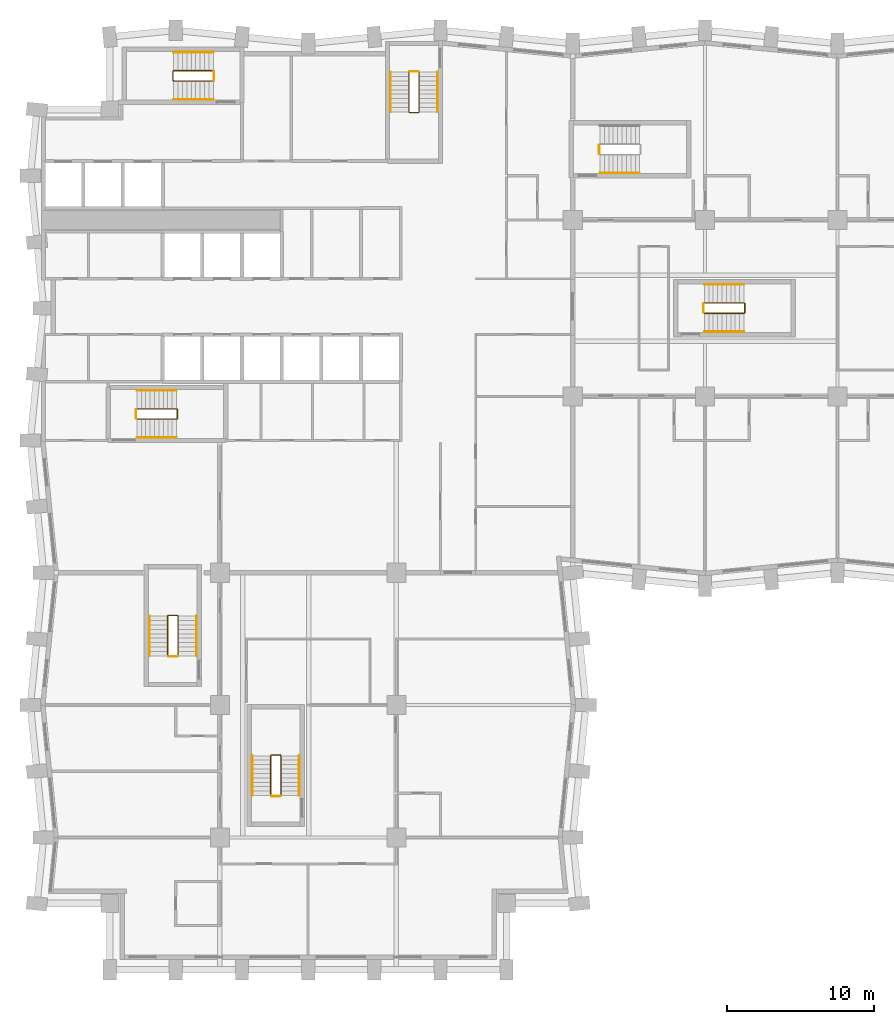
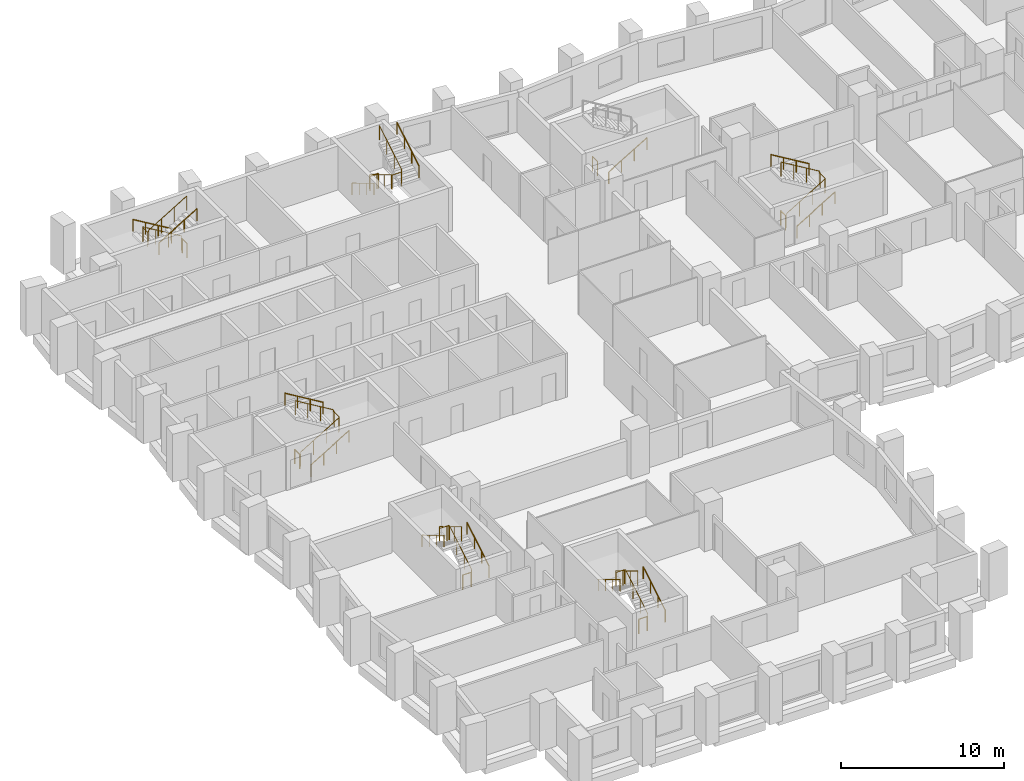
# One storey, part 12 of 13: 26 railings.
"""IFC4 building model written with IfcOpenShell, lengths in metres."""

from ifc_helpers import new_model, si_unit, direction, frame, origin, origin_2d, place, context, subcontext, project, spatial, circle, extrude, material, type_object, element, save


model = new_model("IFC4")

# Units and contexts
model_context = context("Model", 3, precision=1e-05, world=origin(), true_north=direction((0.0, 1.0)))
body_context = subcontext(model_context, "Body", "Model", "MODEL_VIEW")
ifc_project = project(units=[si_unit("LENGTHUNIT", "METRE"), si_unit("AREAUNIT", "SQUARE_METRE"), si_unit("VOLUMEUNIT", "CUBIC_METRE"), si_unit("PLANEANGLEUNIT", "RADIAN"), si_unit("MASSUNIT", "GRAM", prefix="KILO")], contexts=[model_context])

# Site, building, storey
site_placement = place(None, origin())
site = spatial("IfcSite", under=ifc_project, at=site_placement, CompositionType="ELEMENT")
building_placement = place(site_placement, origin())
building = spatial("IfcBuilding", under=site, at=building_placement, Name="Brondeck Convention Tower", CompositionType="ELEMENT")
storey_placement = place(building_placement, frame((0.0, 0.0, 73.5)))
storey = spatial("IfcBuildingStorey", under=building, at=storey_placement, Name="L16", CompositionType="ELEMENT", Elevation=73.5)

# Railings
ifc_material = material(Name="Steel S355", Category="steel")
railing_type_1 = type_object("IfcRailingType", Name="Stair guard 1100", PredefinedType="GUARDRAIL", material=ifc_material)
railing_1_placement = place(storey_placement, frame((6.35009765625, 37.449951171875, 0.179931640625)))
element("IfcRailing", 1, at=railing_1_placement, inside=storey, type_object=railing_type_1, Name="L16 ST-1 stair guard 1", PredefinedType="GUARDRAIL", context=body_context, shape_type="SweptSolid", body=[
    extrude(circle(Radius=0.02392578125, at=origin_2d()), frame((0.0, 0.0, 1.076171875), z_axis=(0.857472400752, 0.0, 0.514529962148), x_axis=(0.0, 1.0, 0.0)), (0.0, 0.0, 1.0), 3.148681640625),
    extrude(circle(Radius=0.02392578125, at=origin_2d()), frame((2.699951171875, 0.0, 2.6962890625), z_axis=(0.707106781187, 0.707106781187, 0.0), x_axis=(-0.707106781187, 0.707106781187, 0.0)), (0.0, 0.0, 1.0), 0.07080078125),
    extrude(circle(Radius=0.02392578125, at=origin_2d()), frame((2.75, 0.050048828125, 2.6962890625), z_axis=(0.0, 1.0, 0.0), x_axis=(-1.0, 0.0, 0.0)), (0.0, 0.0, 1.0), 0.60009765625),
    extrude(circle(Radius=0.02392578125, at=origin_2d()), frame((2.75, 0.650146484375, 2.6962890625), z_axis=(-0.258932105505, 0.257669022063, 0.930892496375), x_axis=(-0.705375805398, -0.708833529934, 0.0)), (0.0, 0.0, 1.0), 0.193359375),
    extrude(circle(Radius=0.02392578125, at=origin_2d()), frame((2.699951171875, 0.699951171875, 2.8759765625), z_axis=(-0.857472400752, 0.0, 0.514529962148), x_axis=(0.0, -1.0, 0.0)), (0.0, 0.0, 1.0), 3.148681640625),
    extrude(circle(Radius=0.02099609375, at=origin_2d()), origin(), (0.0, 0.0, 1.0), 1.052001953125),
    extrude(circle(Radius=0.02099609375, at=origin_2d()), frame((0.89990234375, 0.0, 0.5400390625)), (0.0, 0.0, 1.0), 1.052001953125),
    extrude(circle(Radius=0.02099609375, at=origin_2d()), frame((1.800048828125, 0.0, 1.080078125)), (0.0, 0.0, 1.0), 1.052001953125),
    extrude(circle(Radius=0.02099609375, at=origin_2d()), frame((2.699951171875, 0.0, 1.6201171875)), (0.0, 0.0, 1.0), 1.052001953125),
    extrude(circle(Radius=0.02099609375, at=origin_2d()), frame((2.75, 0.050048828125, 1.6201171875)), (0.0, 0.0, 1.0), 1.052001953125),
    extrude(circle(Radius=0.02099609375, at=origin_2d()), frame((2.75, 0.650146484375, 1.6201171875)), (0.0, 0.0, 1.0), 1.052001953125),
    extrude(circle(Radius=0.02099609375, at=origin_2d()), frame((2.699951171875, 0.699951171875, 1.800048828125)), (0.0, 0.0, 1.0), 1.052001953125),
    extrude(circle(Radius=0.02099609375, at=origin_2d()), frame((1.800048828125, 0.699951171875, 2.340087890625)), (0.0, 0.0, 1.0), 1.052001953125),
    extrude(circle(Radius=0.02099609375, at=origin_2d()), frame((0.89990234375, 0.699951171875, 2.880126953125)), (0.0, 0.0, 1.0), 1.052001953125),
    extrude(circle(Radius=0.02099609375, at=origin_2d()), frame((0.0, 0.699951171875, 3.420166015625)), (0.0, 0.0, 1.0), 1.052001953125),
])
railing_2_placement = place(storey_placement, frame((6.300048828125, 37.5, 0.0)))
element("IfcRailing", 2, at=railing_2_placement, inside=storey, type_object=railing_type_1, Name="L16 ST-1 stair guard 2", PredefinedType="GUARDRAIL", context=body_context, shape_type="SweptSolid", body=[
    extrude(circle(Radius=0.02392578125, at=origin_2d()), frame((0.0, 0.0, 1.076171875), z_axis=(0.0, 1.0, 0.0), x_axis=(-1.0, 0.0, 0.0)), (0.0, 0.0, 1.0), 0.60009765625),
    extrude(circle(Radius=0.02099609375, at=origin_2d()), origin(), (0.0, 0.0, 1.0), 1.052001953125),
    extrude(circle(Radius=0.02099609375, at=origin_2d()), frame((0.0, 0.60009765625, 0.0)), (0.0, 0.0, 1.0), 1.052001953125),
])
railing_3_placement = place(storey_placement, frame((24.85009765625, 61.050048828125, 0.179931640625)))
element("IfcRailing", 3, at=railing_3_placement, inside=storey, type_object=railing_type_1, Name="L16 ST-2 stair guard 1", PredefinedType="GUARDRAIL", context=body_context, shape_type="SweptSolid", body=[
    extrude(circle(Radius=0.02392578125, at=origin_2d()), frame((0.0, 0.0, 1.076171875), z_axis=(0.0, -0.857472400752, 0.514529962148), x_axis=(1.0, 0.0, 0.0)), (0.0, 0.0, 1.0), 3.148681640625),
    extrude(circle(Radius=0.02392578125, at=origin_2d()), frame((0.0, -2.699951171875, 2.6962890625), z_axis=(0.705375805398, -0.708833529934, 0.0), x_axis=(0.708833529934, 0.705375805398, 0.0)), (0.0, 0.0, 1.0), 0.070556640625),
    extrude(circle(Radius=0.02392578125, at=origin_2d()), frame((0.0498046875, -2.75, 2.6962890625), z_axis=(1.0, 0.0, 0.0), x_axis=(0.0, 1.0, 0.0)), (0.0, 0.0, 1.0), 0.60009765625),
    extrude(circle(Radius=0.02392578125, at=origin_2d()), frame((0.64990234375, -2.75, 2.6962890625), z_axis=(0.258847668887, 0.258847668887, 0.930588936439), x_axis=(-0.707106781187, 0.707106781187, 0.0)), (0.0, 0.0, 1.0), 0.193359375),
    extrude(circle(Radius=0.02392578125, at=origin_2d()), frame((0.699951171875, -2.699951171875, 2.8759765625), z_axis=(0.0, 0.857472400752, 0.514529962148), x_axis=(-1.0, 0.0, 0.0)), (0.0, 0.0, 1.0), 3.148681640625),
    extrude(circle(Radius=0.02099609375, at=origin_2d()), origin(), (0.0, 0.0, 1.0), 1.052001953125),
    extrude(circle(Radius=0.02099609375, at=origin_2d()), frame((0.0, -0.89990234375, 0.5400390625)), (0.0, 0.0, 1.0), 1.052001953125),
    extrude(circle(Radius=0.02099609375, at=origin_2d()), frame((0.0, -1.800048828125, 1.080078125)), (0.0, 0.0, 1.0), 1.052001953125),
    extrude(circle(Radius=0.02099609375, at=origin_2d()), frame((0.0, -2.699951171875, 1.6201171875)), (0.0, 0.0, 1.0), 1.052001953125),
    extrude(circle(Radius=0.02099609375, at=origin_2d()), frame((0.0498046875, -2.75, 1.6201171875)), (0.0, 0.0, 1.0), 1.052001953125),
    extrude(circle(Radius=0.02099609375, at=origin_2d()), frame((0.64990234375, -2.75, 1.6201171875)), (0.0, 0.0, 1.0), 1.052001953125),
    extrude(circle(Radius=0.02099609375, at=origin_2d()), frame((0.699951171875, -2.699951171875, 1.800048828125)), (0.0, 0.0, 1.0), 1.052001953125),
    extrude(circle(Radius=0.02099609375, at=origin_2d()), frame((0.699951171875, -1.800048828125, 2.340087890625)), (0.0, 0.0, 1.0), 1.052001953125),
    extrude(circle(Radius=0.02099609375, at=origin_2d()), frame((0.699951171875, -0.89990234375, 2.880126953125)), (0.0, 0.0, 1.0), 1.052001953125),
    extrude(circle(Radius=0.02099609375, at=origin_2d()), frame((0.699951171875, 0.0, 3.420166015625)), (0.0, 0.0, 1.0), 1.052001953125),
])
railing_4_placement = place(storey_placement, frame((24.89990234375, 61.10009765625, 0.0)))
element("IfcRailing", 4, at=railing_4_placement, inside=storey, type_object=railing_type_1, Name="L16 ST-2 stair guard 2", PredefinedType="GUARDRAIL", context=body_context, shape_type="SweptSolid", body=[
    extrude(circle(Radius=0.02392578125, at=origin_2d()), frame((0.0, 0.0, 1.076171875), z_axis=(1.0, 0.0, 0.0), x_axis=(0.0, 1.0, 0.0)), (0.0, 0.0, 1.0), 0.60009765625),
    extrude(circle(Radius=0.02099609375, at=origin_2d()), origin(), (0.0, 0.0, 1.0), 1.052001953125),
    extrude(circle(Radius=0.02099609375, at=origin_2d()), frame((0.60009765625, 0.0, 0.0)), (0.0, 0.0, 1.0), 1.052001953125),
])
railing_5_placement = place(storey_placement, frame((11.550048828125, 61.14990234375, 0.179931640625)))
element("IfcRailing", 5, at=railing_5_placement, inside=storey, type_object=railing_type_1, Name="L16 ST-3 stair guard 1", PredefinedType="GUARDRAIL", context=body_context, shape_type="SweptSolid", body=[
    extrude(circle(Radius=0.02392578125, at=origin_2d()), frame((0.0, 0.0, 1.076171875), z_axis=(-0.857472400752, 0.0, 0.514529962148), x_axis=(0.0, -1.0, 0.0)), (0.0, 0.0, 1.0), 3.148681640625),
    extrude(circle(Radius=0.02392578125, at=origin_2d()), frame((-2.699951171875, 0.0, 2.6962890625), z_axis=(-0.708833529934, -0.705375805398, 0.0), x_axis=(0.705375805398, -0.708833529934, 0.0)), (0.0, 0.0, 1.0), 0.070556640625),
    extrude(circle(Radius=0.02392578125, at=origin_2d()), frame((-2.75, -0.0498046875, 2.6962890625), z_axis=(0.0, -1.0, 0.0), x_axis=(1.0, 0.0, 0.0)), (0.0, 0.0, 1.0), 0.60009765625),
    extrude(circle(Radius=0.02392578125, at=origin_2d()), frame((-2.75, -0.64990234375, 2.6962890625), z_axis=(0.258847668887, -0.258847668887, 0.930588936439), x_axis=(0.707106781187, 0.707106781187, 0.0)), (0.0, 0.0, 1.0), 0.193359375),
    extrude(circle(Radius=0.02392578125, at=origin_2d()), frame((-2.699951171875, -0.699951171875, 2.8759765625), z_axis=(0.857472400752, 0.0, 0.514529962148), x_axis=(0.0, 1.0, 0.0)), (0.0, 0.0, 1.0), 3.148681640625),
    extrude(circle(Radius=0.02099609375, at=origin_2d()), origin(), (0.0, 0.0, 1.0), 1.052001953125),
    extrude(circle(Radius=0.02099609375, at=origin_2d()), frame((-0.89990234375, 0.0, 0.5400390625)), (0.0, 0.0, 1.0), 1.052001953125),
    extrude(circle(Radius=0.02099609375, at=origin_2d()), frame((-1.800048828125, 0.0, 1.080078125)), (0.0, 0.0, 1.0), 1.052001953125),
    extrude(circle(Radius=0.02099609375, at=origin_2d()), frame((-2.699951171875, 0.0, 1.6201171875)), (0.0, 0.0, 1.0), 1.052001953125),
    extrude(circle(Radius=0.02099609375, at=origin_2d()), frame((-2.75, -0.0498046875, 1.6201171875)), (0.0, 0.0, 1.0), 1.052001953125),
    extrude(circle(Radius=0.02099609375, at=origin_2d()), frame((-2.75, -0.64990234375, 1.6201171875)), (0.0, 0.0, 1.0), 1.052001953125),
    extrude(circle(Radius=0.02099609375, at=origin_2d()), frame((-2.699951171875, -0.699951171875, 1.800048828125)), (0.0, 0.0, 1.0), 1.052001953125),
    extrude(circle(Radius=0.02099609375, at=origin_2d()), frame((-1.800048828125, -0.699951171875, 2.340087890625)), (0.0, 0.0, 1.0), 1.052001953125),
    extrude(circle(Radius=0.02099609375, at=origin_2d()), frame((-0.89990234375, -0.699951171875, 2.880126953125)), (0.0, 0.0, 1.0), 1.052001953125),
    extrude(circle(Radius=0.02099609375, at=origin_2d()), frame((0.0, -0.699951171875, 3.420166015625)), (0.0, 0.0, 1.0), 1.052001953125),
])
railing_6_placement = place(storey_placement, frame((11.60009765625, 61.10009765625, 0.0)))
element("IfcRailing", 6, at=railing_6_placement, inside=storey, type_object=railing_type_1, Name="L16 ST-3 stair guard 2", PredefinedType="GUARDRAIL", context=body_context, shape_type="SweptSolid", body=[
    extrude(circle(Radius=0.02392578125, at=origin_2d()), frame((0.0, 0.0, 1.076171875), z_axis=(0.0, -1.0, 0.0), x_axis=(1.0, 0.0, 0.0)), (0.0, 0.0, 1.0), 0.60009765625),
    extrude(circle(Radius=0.02099609375, at=origin_2d()), origin(), (0.0, 0.0, 1.0), 1.052001953125),
    extrude(circle(Radius=0.02099609375, at=origin_2d()), frame((0.0, -0.60009765625, 0.0)), (0.0, 0.0, 1.0), 1.052001953125),
])
railing_7_placement = place(storey_placement, frame((37.800048828125, 55.5, 0.0)))
element("IfcRailing", 7, at=railing_7_placement, inside=storey, type_object=railing_type_1, Name="L16 ST-AE stair guard 2", PredefinedType="GUARDRAIL", context=body_context, shape_type="SweptSolid", body=[
    extrude(circle(Radius=0.02392578125, at=origin_2d()), frame((0.0, 0.0, 1.076171875), z_axis=(0.0, 1.0, 0.0), x_axis=(-1.0, 0.0, 0.0)), (0.0, 0.0, 1.0), 0.60009765625),
    extrude(circle(Radius=0.02099609375, at=origin_2d()), origin(), (0.0, 0.0, 1.0), 1.052001953125),
    extrude(circle(Radius=0.02099609375, at=origin_2d()), frame((0.0, 0.60009765625, 0.0)), (0.0, 0.0, 1.0), 1.052001953125),
])
railing_8_placement = place(storey_placement, frame((9.14990234375, 21.35009765625, 0.179931640625)))
element("IfcRailing", 8, at=railing_8_placement, inside=storey, type_object=railing_type_1, Name="L16 ST-BE stair guard 1", PredefinedType="GUARDRAIL", context=body_context, shape_type="SweptSolid", body=[
    extrude(circle(Radius=0.02392578125, at=origin_2d()), frame((0.0, 0.0, 1.076171875), z_axis=(0.0, 0.857472400752, 0.514529962148), x_axis=(-1.0, 0.0, 0.0)), (0.0, 0.0, 1.0), 3.148681640625),
    extrude(circle(Radius=0.02392578125, at=origin_2d()), frame((0.0, 2.699951171875, 2.6962890625), z_axis=(-0.705375805398, 0.708833529934, 0.0), x_axis=(-0.708833529934, -0.705375805398, 0.0)), (0.0, 0.0, 1.0), 0.070556640625),
    extrude(circle(Radius=0.02392578125, at=origin_2d()), frame((-0.0498046875, 2.75, 2.6962890625), z_axis=(-1.0, 0.0, 0.0), x_axis=(0.0, -1.0, 0.0)), (0.0, 0.0, 1.0), 0.60009765625),
    extrude(circle(Radius=0.02392578125, at=origin_2d()), frame((-0.64990234375, 2.75, 2.6962890625), z_axis=(-0.258847668887, -0.258847668887, 0.930588936439), x_axis=(0.707106781187, -0.707106781187, 0.0)), (0.0, 0.0, 1.0), 0.193359375),
    extrude(circle(Radius=0.02392578125, at=origin_2d()), frame((-0.699951171875, 2.699951171875, 2.8759765625), z_axis=(0.0, -0.857472400752, 0.514529962148), x_axis=(1.0, 0.0, 0.0)), (0.0, 0.0, 1.0), 3.148681640625),
    extrude(circle(Radius=0.02099609375, at=origin_2d()), origin(), (0.0, 0.0, 1.0), 1.052001953125),
    extrude(circle(Radius=0.02099609375, at=origin_2d()), frame((0.0, 0.89990234375, 0.5400390625)), (0.0, 0.0, 1.0), 1.052001953125),
    extrude(circle(Radius=0.02099609375, at=origin_2d()), frame((0.0, 1.800048828125, 1.080078125)), (0.0, 0.0, 1.0), 1.052001953125),
    extrude(circle(Radius=0.02099609375, at=origin_2d()), frame((0.0, 2.699951171875, 1.6201171875)), (0.0, 0.0, 1.0), 1.052001953125),
    extrude(circle(Radius=0.02099609375, at=origin_2d()), frame((-0.0498046875, 2.75, 1.6201171875)), (0.0, 0.0, 1.0), 1.052001953125),
    extrude(circle(Radius=0.02099609375, at=origin_2d()), frame((-0.64990234375, 2.75, 1.6201171875)), (0.0, 0.0, 1.0), 1.052001953125),
    extrude(circle(Radius=0.02099609375, at=origin_2d()), frame((-0.699951171875, 2.699951171875, 1.800048828125)), (0.0, 0.0, 1.0), 1.052001953125),
    extrude(circle(Radius=0.02099609375, at=origin_2d()), frame((-0.699951171875, 1.800048828125, 2.340087890625)), (0.0, 0.0, 1.0), 1.052001953125),
    extrude(circle(Radius=0.02099609375, at=origin_2d()), frame((-0.699951171875, 0.89990234375, 2.880126953125)), (0.0, 0.0, 1.0), 1.052001953125),
    extrude(circle(Radius=0.02099609375, at=origin_2d()), frame((-0.699951171875, 0.0, 3.420166015625)), (0.0, 0.0, 1.0), 1.052001953125),
])
railing_9_placement = place(storey_placement, frame((9.10009765625, 21.300048828125, 0.0)))
element("IfcRailing", 9, at=railing_9_placement, inside=storey, type_object=railing_type_1, Name="L16 ST-BE stair guard 2", PredefinedType="GUARDRAIL", context=body_context, shape_type="SweptSolid", body=[
    extrude(circle(Radius=0.02392578125, at=origin_2d()), frame((0.0, 0.0, 1.076171875), z_axis=(-1.0, 0.0, 0.0), x_axis=(0.0, -1.0, 0.0)), (0.0, 0.0, 1.0), 0.60009765625),
    extrude(circle(Radius=0.02099609375, at=origin_2d()), origin(), (0.0, 0.0, 1.0), 1.052001953125),
    extrude(circle(Radius=0.02099609375, at=origin_2d()), frame((-0.60009765625, 0.0, 0.0)), (0.0, 0.0, 1.0), 1.052001953125),
])
railing_10_placement = place(storey_placement, frame((44.949951171875, 44.64990234375, 0.179931640625)))
element("IfcRailing", 10, at=railing_10_placement, inside=storey, type_object=railing_type_1, Name="L16 ST-AF stair guard 1", PredefinedType="GUARDRAIL", context=body_context, shape_type="SweptSolid", body=[
    extrude(circle(Radius=0.02392578125, at=origin_2d()), frame((0.0, 0.0, 1.076171875), z_axis=(0.857472400752, 0.0, 0.514529962148), x_axis=(0.0, 1.0, 0.0)), (0.0, 0.0, 1.0), 3.148681640625),
    extrude(circle(Radius=0.02392578125, at=origin_2d()), frame((2.699951171875, 0.0, 2.6962890625), z_axis=(0.707106781187, 0.707106781187, 0.0), x_axis=(-0.707106781187, 0.707106781187, 0.0)), (0.0, 0.0, 1.0), 0.07080078125),
    extrude(circle(Radius=0.02392578125, at=origin_2d()), frame((2.75, 0.050048828125, 2.6962890625), z_axis=(0.0, 1.0, 0.0), x_axis=(-1.0, 0.0, 0.0)), (0.0, 0.0, 1.0), 0.60009765625),
    extrude(circle(Radius=0.02392578125, at=origin_2d()), frame((2.75, 0.650146484375, 2.6962890625), z_axis=(-0.258847668887, 0.258847668887, 0.930588936439), x_axis=(-0.707106781187, -0.707106781187, 0.0)), (0.0, 0.0, 1.0), 0.193359375),
    extrude(circle(Radius=0.02392578125, at=origin_2d()), frame((2.699951171875, 0.7001953125, 2.8759765625), z_axis=(-0.857472400752, 0.0, 0.514529962148), x_axis=(0.0, -1.0, 0.0)), (0.0, 0.0, 1.0), 3.148681640625),
    extrude(circle(Radius=0.02099609375, at=origin_2d()), origin(), (0.0, 0.0, 1.0), 1.052001953125),
    extrude(circle(Radius=0.02099609375, at=origin_2d()), frame((0.89990234375, 0.0, 0.5400390625)), (0.0, 0.0, 1.0), 1.052001953125),
    extrude(circle(Radius=0.02099609375, at=origin_2d()), frame((1.800048828125, 0.0, 1.080078125)), (0.0, 0.0, 1.0), 1.052001953125),
    extrude(circle(Radius=0.02099609375, at=origin_2d()), frame((2.699951171875, 0.0, 1.6201171875)), (0.0, 0.0, 1.0), 1.052001953125),
    extrude(circle(Radius=0.02099609375, at=origin_2d()), frame((2.75, 0.050048828125, 1.6201171875)), (0.0, 0.0, 1.0), 1.052001953125),
    extrude(circle(Radius=0.02099609375, at=origin_2d()), frame((2.75, 0.650146484375, 1.6201171875)), (0.0, 0.0, 1.0), 1.052001953125),
    extrude(circle(Radius=0.02099609375, at=origin_2d()), frame((2.699951171875, 0.7001953125, 1.800048828125)), (0.0, 0.0, 1.0), 1.052001953125),
    extrude(circle(Radius=0.02099609375, at=origin_2d()), frame((1.800048828125, 0.7001953125, 2.340087890625)), (0.0, 0.0, 1.0), 1.052001953125),
    extrude(circle(Radius=0.02099609375, at=origin_2d()), frame((0.89990234375, 0.7001953125, 2.880126953125)), (0.0, 0.0, 1.0), 1.052001953125),
    extrude(circle(Radius=0.02099609375, at=origin_2d()), frame((0.0, 0.7001953125, 3.420166015625)), (0.0, 0.0, 1.0), 1.052001953125),
])
railing_11_placement = place(storey_placement, frame((44.89990234375, 44.699951171875, 0.0)))
element("IfcRailing", 11, at=railing_11_placement, inside=storey, type_object=railing_type_1, Name="L16 ST-AF stair guard 2", PredefinedType="GUARDRAIL", context=body_context, shape_type="SweptSolid", body=[
    extrude(circle(Radius=0.02392578125, at=origin_2d()), frame((0.0, 0.0, 1.076171875), z_axis=(0.0, 1.0, 0.0), x_axis=(-1.0, 0.0, 0.0)), (0.0, 0.0, 1.0), 0.60009765625),
    extrude(circle(Radius=0.02099609375, at=origin_2d()), origin(), (0.0, 0.0, 1.0), 1.052001953125),
    extrude(circle(Radius=0.02099609375, at=origin_2d()), frame((0.0, 0.60009765625, 0.0)), (0.0, 0.0, 1.0), 1.052001953125),
])
railing_12_placement = place(storey_placement, frame((16.14990234375, 11.85009765625, 0.179931640625)))
element("IfcRailing", 12, at=railing_12_placement, inside=storey, type_object=railing_type_1, Name="L16 ST-BF stair guard 1", PredefinedType="GUARDRAIL", context=body_context, shape_type="SweptSolid", body=[
    extrude(circle(Radius=0.02392578125, at=origin_2d()), frame((0.0, 0.0, 1.076171875), z_axis=(0.0, 0.857472400752, 0.514529962148), x_axis=(-1.0, 0.0, 0.0)), (0.0, 0.0, 1.0), 3.148681640625),
    extrude(circle(Radius=0.02392578125, at=origin_2d()), frame((0.0, 2.699951171875, 2.6962890625), z_axis=(-0.705375805398, 0.708833529934, 0.0), x_axis=(-0.708833529934, -0.705375805398, 0.0)), (0.0, 0.0, 1.0), 0.070556640625),
    extrude(circle(Radius=0.02392578125, at=origin_2d()), frame((-0.0498046875, 2.75, 2.6962890625), z_axis=(-1.0, 0.0, 0.0), x_axis=(0.0, -1.0, 0.0)), (0.0, 0.0, 1.0), 0.60009765625),
    extrude(circle(Radius=0.02392578125, at=origin_2d()), frame((-0.64990234375, 2.75, 2.6962890625), z_axis=(-0.258847668887, -0.258847668887, 0.930588936439), x_axis=(0.707106781187, -0.707106781187, 0.0)), (0.0, 0.0, 1.0), 0.193359375),
    extrude(circle(Radius=0.02392578125, at=origin_2d()), frame((-0.699951171875, 2.699951171875, 2.8759765625), z_axis=(0.0, -0.857472400752, 0.514529962148), x_axis=(1.0, 0.0, 0.0)), (0.0, 0.0, 1.0), 3.148681640625),
    extrude(circle(Radius=0.02099609375, at=origin_2d()), origin(), (0.0, 0.0, 1.0), 1.052001953125),
    extrude(circle(Radius=0.02099609375, at=origin_2d()), frame((0.0, 0.89990234375, 0.5400390625)), (0.0, 0.0, 1.0), 1.052001953125),
    extrude(circle(Radius=0.02099609375, at=origin_2d()), frame((0.0, 1.800048828125, 1.080078125)), (0.0, 0.0, 1.0), 1.052001953125),
    extrude(circle(Radius=0.02099609375, at=origin_2d()), frame((0.0, 2.699951171875, 1.6201171875)), (0.0, 0.0, 1.0), 1.052001953125),
    extrude(circle(Radius=0.02099609375, at=origin_2d()), frame((-0.0498046875, 2.75, 1.6201171875)), (0.0, 0.0, 1.0), 1.052001953125),
    extrude(circle(Radius=0.02099609375, at=origin_2d()), frame((-0.64990234375, 2.75, 1.6201171875)), (0.0, 0.0, 1.0), 1.052001953125),
    extrude(circle(Radius=0.02099609375, at=origin_2d()), frame((-0.699951171875, 2.699951171875, 1.800048828125)), (0.0, 0.0, 1.0), 1.052001953125),
    extrude(circle(Radius=0.02099609375, at=origin_2d()), frame((-0.699951171875, 1.800048828125, 2.340087890625)), (0.0, 0.0, 1.0), 1.052001953125),
    extrude(circle(Radius=0.02099609375, at=origin_2d()), frame((-0.699951171875, 0.89990234375, 2.880126953125)), (0.0, 0.0, 1.0), 1.052001953125),
    extrude(circle(Radius=0.02099609375, at=origin_2d()), frame((-0.699951171875, 0.0, 3.420166015625)), (0.0, 0.0, 1.0), 1.052001953125),
])
railing_13_placement = place(storey_placement, frame((16.10009765625, 11.800048828125, 0.0)))
element("IfcRailing", 13, at=railing_13_placement, inside=storey, type_object=railing_type_1, Name="L16 ST-BF stair guard 2", PredefinedType="GUARDRAIL", context=body_context, shape_type="SweptSolid", body=[
    extrude(circle(Radius=0.02392578125, at=origin_2d()), frame((0.0, 0.0, 1.076171875), z_axis=(-1.0, 0.0, 0.0), x_axis=(0.0, -1.0, 0.0)), (0.0, 0.0, 1.0), 0.60009765625),
    extrude(circle(Radius=0.02099609375, at=origin_2d()), origin(), (0.0, 0.0, 1.0), 1.052001953125),
    extrude(circle(Radius=0.02099609375, at=origin_2d()), frame((-0.60009765625, 0.0, 0.0)), (0.0, 0.0, 1.0), 1.052001953125),
])
railing_type_2 = type_object("IfcRailingType", Name="Stair handrail", PredefinedType="HANDRAIL", material=ifc_material)
railing_14_placement = place(storey_placement, frame((6.35009765625, 36.199951171875, 0.179931640625)))
element("IfcRailing", 14, at=railing_14_placement, inside=storey, type_object=railing_type_2, Name="L16 ST-1 stair handrail 1", PredefinedType="HANDRAIL", context=body_context, shape_type="SweptSolid", body=[
    extrude(circle(Radius=0.02392578125, at=origin_2d()), frame((0.0, 0.0, 0.8759765625), z_axis=(0.857472400752, 0.0, 0.514529962148), x_axis=(0.0, 1.0, 0.0)), (0.0, 0.0, 1.0), 3.148681640625),
    extrude(circle(Radius=0.02099609375, at=origin_2d()), origin(), (0.0, 0.0, 1.0), 0.851806640625),
    extrude(circle(Radius=0.02099609375, at=origin_2d()), frame((0.89990234375, 0.0, 0.5400390625)), (0.0, 0.0, 1.0), 0.851806640625),
    extrude(circle(Radius=0.02099609375, at=origin_2d()), frame((1.800048828125, 0.0, 1.080078125)), (0.0, 0.0, 1.0), 0.851806640625),
    extrude(circle(Radius=0.02099609375, at=origin_2d()), frame((2.699951171875, 0.0, 1.6201171875)), (0.0, 0.0, 1.0), 0.851806640625),
])
railing_15_placement = place(storey_placement, frame((9.050048828125, 39.39990234375, 1.97998046875)))
element("IfcRailing", 15, at=railing_15_placement, inside=storey, type_object=railing_type_2, Name="L16 ST-1 stair handrail 2", PredefinedType="HANDRAIL", context=body_context, shape_type="SweptSolid", body=[
    extrude(circle(Radius=0.02392578125, at=origin_2d()), frame((0.0, 0.0, 0.8759765625), z_axis=(-0.857472400752, 0.0, 0.514529962148), x_axis=(0.0, -1.0, 0.0)), (0.0, 0.0, 1.0), 3.148681640625),
    extrude(circle(Radius=0.02099609375, at=origin_2d()), origin(), (0.0, 0.0, 1.0), 0.851806640625),
    extrude(circle(Radius=0.02099609375, at=origin_2d()), frame((-0.89990234375, 0.0, 0.5400390625)), (0.0, 0.0, 1.0), 0.851806640625),
    extrude(circle(Radius=0.02099609375, at=origin_2d()), frame((-1.800048828125, 0.0, 1.080078125)), (0.0, 0.0, 1.0), 0.851806640625),
    extrude(circle(Radius=0.02099609375, at=origin_2d()), frame((-2.699951171875, 0.0, 1.6201171875)), (0.0, 0.0, 1.0), 0.851806640625),
])
railing_16_placement = place(storey_placement, frame((23.60009765625, 61.050048828125, 0.179931640625)))
element("IfcRailing", 16, at=railing_16_placement, inside=storey, type_object=railing_type_2, Name="L16 ST-2 stair handrail 1", PredefinedType="HANDRAIL", context=body_context, shape_type="SweptSolid", body=[
    extrude(circle(Radius=0.02392578125, at=origin_2d()), frame((0.0, 0.0, 0.8759765625), z_axis=(0.0, -0.857472400752, 0.514529962148), x_axis=(1.0, 0.0, 0.0)), (0.0, 0.0, 1.0), 3.148681640625),
    extrude(circle(Radius=0.02099609375, at=origin_2d()), origin(), (0.0, 0.0, 1.0), 0.851806640625),
    extrude(circle(Radius=0.02099609375, at=origin_2d()), frame((0.0, -0.89990234375, 0.5400390625)), (0.0, 0.0, 1.0), 0.851806640625),
    extrude(circle(Radius=0.02099609375, at=origin_2d()), frame((0.0, -1.800048828125, 1.080078125)), (0.0, 0.0, 1.0), 0.851806640625),
    extrude(circle(Radius=0.02099609375, at=origin_2d()), frame((0.0, -2.699951171875, 1.6201171875)), (0.0, 0.0, 1.0), 0.851806640625),
])
railing_17_placement = place(storey_placement, frame((26.800048828125, 58.35009765625, 1.97998046875)))
element("IfcRailing", 17, at=railing_17_placement, inside=storey, type_object=railing_type_2, Name="L16 ST-2 stair handrail 2", PredefinedType="HANDRAIL", context=body_context, shape_type="SweptSolid", body=[
    extrude(circle(Radius=0.02392578125, at=origin_2d()), frame((0.0, 0.0, 0.8759765625), z_axis=(0.0, 0.857472400752, 0.514529962148), x_axis=(-1.0, 0.0, 0.0)), (0.0, 0.0, 1.0), 3.148681640625),
    extrude(circle(Radius=0.02099609375, at=origin_2d()), origin(), (0.0, 0.0, 1.0), 0.851806640625),
    extrude(circle(Radius=0.02099609375, at=origin_2d()), frame((0.0, 0.89990234375, 0.5400390625)), (0.0, 0.0, 1.0), 0.851806640625),
    extrude(circle(Radius=0.02099609375, at=origin_2d()), frame((0.0, 1.800048828125, 1.080078125)), (0.0, 0.0, 1.0), 0.851806640625),
    extrude(circle(Radius=0.02099609375, at=origin_2d()), frame((0.0, 2.699951171875, 1.6201171875)), (0.0, 0.0, 1.0), 0.851806640625),
])
railing_18_placement = place(storey_placement, frame((11.550048828125, 62.39990234375, 0.179931640625)))
element("IfcRailing", 18, at=railing_18_placement, inside=storey, type_object=railing_type_2, Name="L16 ST-3 stair handrail 1", PredefinedType="HANDRAIL", context=body_context, shape_type="SweptSolid", body=[
    extrude(circle(Radius=0.02392578125, at=origin_2d()), frame((0.0, 0.0, 0.8759765625), z_axis=(-0.857472400752, 0.0, 0.514529962148), x_axis=(0.0, -1.0, 0.0)), (0.0, 0.0, 1.0), 3.148681640625),
    extrude(circle(Radius=0.02099609375, at=origin_2d()), origin(), (0.0, 0.0, 1.0), 0.851806640625),
    extrude(circle(Radius=0.02099609375, at=origin_2d()), frame((-0.89990234375, 0.0, 0.5400390625)), (0.0, 0.0, 1.0), 0.851806640625),
    extrude(circle(Radius=0.02099609375, at=origin_2d()), frame((-1.800048828125, 0.0, 1.080078125)), (0.0, 0.0, 1.0), 0.851806640625),
    extrude(circle(Radius=0.02099609375, at=origin_2d()), frame((-2.699951171875, 0.0, 1.6201171875)), (0.0, 0.0, 1.0), 0.851806640625),
])
for number, where, name in (
    (19, (8.85009765625, 59.199951171875, 1.97998046875), "L16 ST-3 stair handrail 2"),
    (20, (37.85009765625, 54.199951171875, 0.179931640625), "L16 ST-AE stair handrail 1"),
):
    element("IfcRailing", number, at=place(storey_placement, frame(where)), inside=storey, type_object=railing_type_2, Name=name, PredefinedType="HANDRAIL", context=body_context, shape_type="SweptSolid", body=[
        extrude(circle(Radius=0.02392578125, at=origin_2d()), frame((0.0, 0.0, 0.8759765625), z_axis=(0.857472400752, 0.0, 0.514529962148), x_axis=(0.0, 1.0, 0.0)), (0.0, 0.0, 1.0), 3.148681640625),
        extrude(circle(Radius=0.02099609375, at=origin_2d()), origin(), (0.0, 0.0, 1.0), 0.851806640625),
        extrude(circle(Radius=0.02099609375, at=origin_2d()), frame((0.89990234375, 0.0, 0.5400390625)), (0.0, 0.0, 1.0), 0.851806640625),
        extrude(circle(Radius=0.02099609375, at=origin_2d()), frame((1.800048828125, 0.0, 1.080078125)), (0.0, 0.0, 1.0), 0.851806640625),
        extrude(circle(Radius=0.02099609375, at=origin_2d()), frame((2.699951171875, 0.0, 1.6201171875)), (0.0, 0.0, 1.0), 0.851806640625),
    ])
railing_19_placement = place(storey_placement, frame((10.39990234375, 21.35009765625, 0.179931640625)))
element("IfcRailing", 21, at=railing_19_placement, inside=storey, type_object=railing_type_2, Name="L16 ST-BE stair handrail 1", PredefinedType="HANDRAIL", context=body_context, shape_type="SweptSolid", body=[
    extrude(circle(Radius=0.02392578125, at=origin_2d()), frame((0.0, 0.0, 0.8759765625), z_axis=(0.0, 0.857472400752, 0.514529962148), x_axis=(-1.0, 0.0, 0.0)), (0.0, 0.0, 1.0), 3.148681640625),
    extrude(circle(Radius=0.02099609375, at=origin_2d()), origin(), (0.0, 0.0, 1.0), 0.851806640625),
    extrude(circle(Radius=0.02099609375, at=origin_2d()), frame((0.0, 0.89990234375, 0.5400390625)), (0.0, 0.0, 1.0), 0.851806640625),
    extrude(circle(Radius=0.02099609375, at=origin_2d()), frame((0.0, 1.800048828125, 1.080078125)), (0.0, 0.0, 1.0), 0.851806640625),
    extrude(circle(Radius=0.02099609375, at=origin_2d()), frame((0.0, 2.699951171875, 1.6201171875)), (0.0, 0.0, 1.0), 0.851806640625),
])
railing_20_placement = place(storey_placement, frame((7.199951171875, 24.050048828125, 1.97998046875)))
element("IfcRailing", 22, at=railing_20_placement, inside=storey, type_object=railing_type_2, Name="L16 ST-BE stair handrail 2", PredefinedType="HANDRAIL", context=body_context, shape_type="SweptSolid", body=[
    extrude(circle(Radius=0.02392578125, at=origin_2d()), frame((0.0, 0.0, 0.8759765625), z_axis=(0.0, -0.857472400752, 0.514529962148), x_axis=(1.0, 0.0, 0.0)), (0.0, 0.0, 1.0), 3.148681640625),
    extrude(circle(Radius=0.02099609375, at=origin_2d()), origin(), (0.0, 0.0, 1.0), 0.851806640625),
    extrude(circle(Radius=0.02099609375, at=origin_2d()), frame((0.0, -0.89990234375, 0.5400390625)), (0.0, 0.0, 1.0), 0.851806640625),
    extrude(circle(Radius=0.02099609375, at=origin_2d()), frame((0.0, -1.800048828125, 1.080078125)), (0.0, 0.0, 1.0), 0.851806640625),
    extrude(circle(Radius=0.02099609375, at=origin_2d()), frame((0.0, -2.699951171875, 1.6201171875)), (0.0, 0.0, 1.0), 0.851806640625),
])
railing_21_placement = place(storey_placement, frame((44.949951171875, 43.39990234375, 0.179931640625)))
element("IfcRailing", 23, at=railing_21_placement, inside=storey, type_object=railing_type_2, Name="L16 ST-AF stair handrail 1", PredefinedType="HANDRAIL", context=body_context, shape_type="SweptSolid", body=[
    extrude(circle(Radius=0.02392578125, at=origin_2d()), frame((0.0, 0.0, 0.8759765625), z_axis=(0.857472400752, 0.0, 0.514529962148), x_axis=(0.0, 1.0, 0.0)), (0.0, 0.0, 1.0), 3.148681640625),
    extrude(circle(Radius=0.02099609375, at=origin_2d()), origin(), (0.0, 0.0, 1.0), 0.851806640625),
    extrude(circle(Radius=0.02099609375, at=origin_2d()), frame((0.89990234375, 0.0, 0.5400390625)), (0.0, 0.0, 1.0), 0.851806640625),
    extrude(circle(Radius=0.02099609375, at=origin_2d()), frame((1.800048828125, 0.0, 1.080078125)), (0.0, 0.0, 1.0), 0.851806640625),
    extrude(circle(Radius=0.02099609375, at=origin_2d()), frame((2.699951171875, 0.0, 1.6201171875)), (0.0, 0.0, 1.0), 0.851806640625),
])
railing_22_placement = place(storey_placement, frame((47.64990234375, 46.60009765625, 1.97998046875)))
element("IfcRailing", 24, at=railing_22_placement, inside=storey, type_object=railing_type_2, Name="L16 ST-AF stair handrail 2", PredefinedType="HANDRAIL", context=body_context, shape_type="SweptSolid", body=[
    extrude(circle(Radius=0.02392578125, at=origin_2d()), frame((0.0, 0.0, 0.8759765625), z_axis=(-0.857472400752, 0.0, 0.514529962148), x_axis=(0.0, -1.0, 0.0)), (0.0, 0.0, 1.0), 3.148681640625),
    extrude(circle(Radius=0.02099609375, at=origin_2d()), origin(), (0.0, 0.0, 1.0), 0.851806640625),
    extrude(circle(Radius=0.02099609375, at=origin_2d()), frame((-0.89990234375, 0.0, 0.5400390625)), (0.0, 0.0, 1.0), 0.851806640625),
    extrude(circle(Radius=0.02099609375, at=origin_2d()), frame((-1.800048828125, 0.0, 1.080078125)), (0.0, 0.0, 1.0), 0.851806640625),
    extrude(circle(Radius=0.02099609375, at=origin_2d()), frame((-2.699951171875, 0.0, 1.6201171875)), (0.0, 0.0, 1.0), 0.851806640625),
])
railing_23_placement = place(storey_placement, frame((17.39990234375, 11.85009765625, 0.179931640625)))
element("IfcRailing", 25, at=railing_23_placement, inside=storey, type_object=railing_type_2, Name="L16 ST-BF stair handrail 1", PredefinedType="HANDRAIL", context=body_context, shape_type="SweptSolid", body=[
    extrude(circle(Radius=0.02392578125, at=origin_2d()), frame((0.0, 0.0, 0.8759765625), z_axis=(0.0, 0.857472400752, 0.514529962148), x_axis=(-1.0, 0.0, 0.0)), (0.0, 0.0, 1.0), 3.148681640625),
    extrude(circle(Radius=0.02099609375, at=origin_2d()), origin(), (0.0, 0.0, 1.0), 0.851806640625),
    extrude(circle(Radius=0.02099609375, at=origin_2d()), frame((0.0, 0.89990234375, 0.5400390625)), (0.0, 0.0, 1.0), 0.851806640625),
    extrude(circle(Radius=0.02099609375, at=origin_2d()), frame((0.0, 1.800048828125, 1.080078125)), (0.0, 0.0, 1.0), 0.851806640625),
    extrude(circle(Radius=0.02099609375, at=origin_2d()), frame((0.0, 2.699951171875, 1.6201171875)), (0.0, 0.0, 1.0), 0.851806640625),
])
railing_24_placement = place(storey_placement, frame((14.199951171875, 14.550048828125, 1.97998046875)))
element("IfcRailing", 26, at=railing_24_placement, inside=storey, type_object=railing_type_2, Name="L16 ST-BF stair handrail 2", PredefinedType="HANDRAIL", context=body_context, shape_type="SweptSolid", body=[
    extrude(circle(Radius=0.02392578125, at=origin_2d()), frame((0.0, 0.0, 0.8759765625), z_axis=(0.0, -0.857472400752, 0.514529962148), x_axis=(1.0, 0.0, 0.0)), (0.0, 0.0, 1.0), 3.148681640625),
    extrude(circle(Radius=0.02099609375, at=origin_2d()), origin(), (0.0, 0.0, 1.0), 0.851806640625),
    extrude(circle(Radius=0.02099609375, at=origin_2d()), frame((0.0, -0.89990234375, 0.5400390625)), (0.0, 0.0, 1.0), 0.851806640625),
    extrude(circle(Radius=0.02099609375, at=origin_2d()), frame((0.0, -1.800048828125, 1.080078125)), (0.0, 0.0, 1.0), 0.851806640625),
    extrude(circle(Radius=0.02099609375, at=origin_2d()), frame((0.0, -2.699951171875, 1.6201171875)), (0.0, 0.0, 1.0), 0.851806640625),
])

save(model, "model.ifc")
